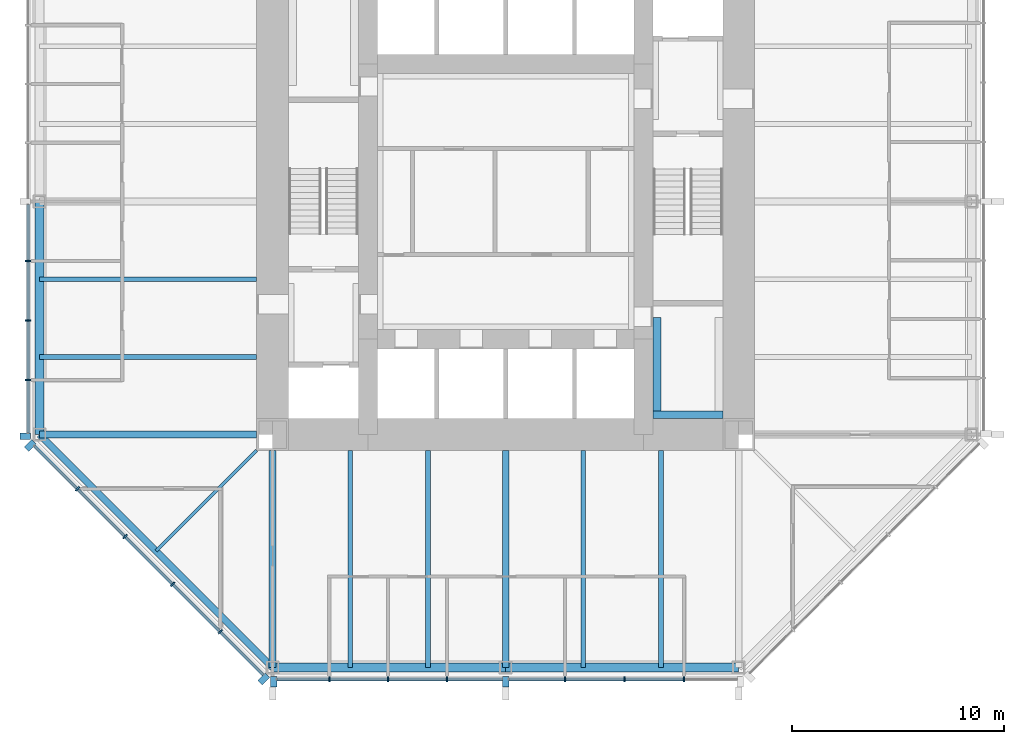
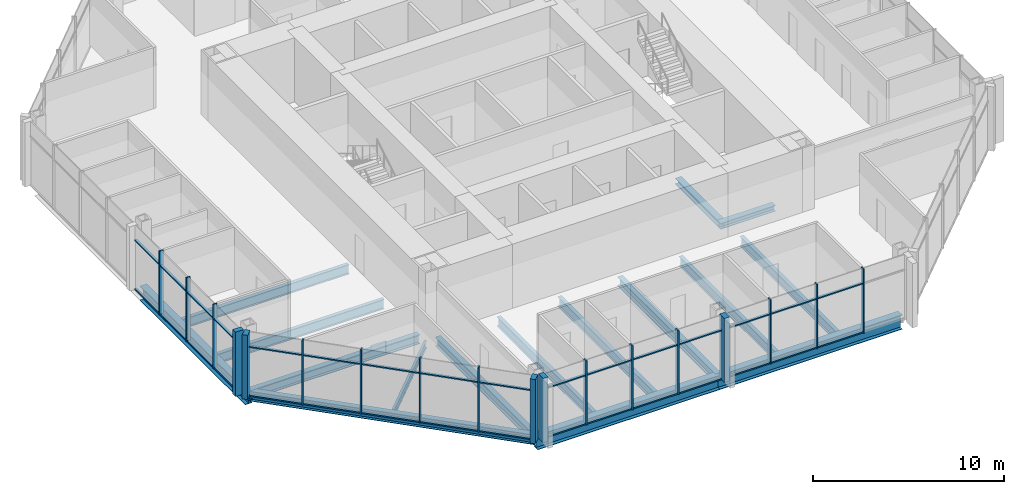
# One storey, part 2 of 12: 50 members, 16 beams, 3 elements without a shape of their own.
"""IFC4 building model written with IfcOpenShell, lengths in metres."""

from ifc_helpers import new_model, si_unit, direction, frame, origin, origin_2d, place, context, subcontext, project, spatial, rectangle, i_section, extrude, material, material_profile, profile_set, type_object, element, aggregate, save


model = new_model("IFC4")

# Units and contexts
model_context = context("Model", 3, precision=1e-05, world=origin(), true_north=direction((0.0, 1.0)))
body_context = subcontext(model_context, "Body", "Model", "MODEL_VIEW")
ifc_project = project(units=[si_unit("LENGTHUNIT", "METRE"), si_unit("AREAUNIT", "SQUARE_METRE"), si_unit("VOLUMEUNIT", "CUBIC_METRE"), si_unit("PLANEANGLEUNIT", "RADIAN"), si_unit("MASSUNIT", "GRAM", prefix="KILO")], contexts=[model_context])

# Site, building, storey
site_placement = place(None, origin())
site = spatial("IfcSite", under=ifc_project, at=site_placement, CompositionType="ELEMENT")
building_placement = place(site_placement, origin())
building = spatial("IfcBuilding", under=site, at=building_placement, Name="Trevanion Tower", CompositionType="ELEMENT")
storey_placement = place(building_placement, frame((0.0, 0.0, 166.39990234375)))
storey = spatial("IfcBuildingStorey", under=building, at=storey_placement, Name="L39", CompositionType="ELEMENT", Elevation=166.39990234375)

# Beams
ifc_material_1 = material(Name="Steel ASTM A992 Grade 50", Category="steel")
ifc_material_profile_1 = material_profile(ifc_material_1, i_section(OverallWidth=0.22900390625, OverallDepth=0.612060546875, WebThickness=0.011962890625, FlangeThickness=0.01953125, at=origin_2d()), Name="W24X84")
ifc_profile_set_1 = profile_set([ifc_material_profile_1], Name="Steel ASTM A992 Grade 50")
beam_type_1 = type_object("IfcBeamType", Name="B7 W24X84", PredefinedType="BEAM", material=ifc_profile_set_1)
for number, where, z_axis, x_axis, name in (
    (1, (-11.75, -3.666748046875, -0.49609375), (-1.0, 0.0, 0.0), (0.0, -1.0, 0.0), "B7 L39"),
    (2, (-11.75, -7.333251953125, -0.49609375), (-1.0, 0.0, 0.0), (0.0, -1.0, 0.0), "B7 L39"),
    (3, (-7.333251953125, -11.75, -0.49609375), (0.0, -1.0, 0.0), (1.0, 0.0, 0.0), "B7 L39"),
    (4, (-3.666748046875, -11.75, -0.49609375), (0.0, -1.0, 0.0), (1.0, 0.0, 0.0), "B7 L39"),
    (5, (3.666748046875, -11.75, -0.49609375), (0.0, -1.0, 0.0), (1.0, 0.0, 0.0), "B7 L39"),
    (6, (7.333251953125, -11.75, -0.49609375), (0.0, -1.0, 0.0), (1.0, 0.0, 0.0), "B7 L39"),
):
    element("IfcBeam", number, at=place(storey_placement, frame(where, z_axis=z_axis, x_axis=x_axis)), inside=storey, type_object=beam_type_1, Name=name, PredefinedType="BEAM", context=body_context, shape_type="SweptSolid", body=[
        extrude(i_section(OverallWidth=0.22900390625, OverallDepth=0.612060546875, WebThickness=0.011962890625, FlangeThickness=0.01953125, at=origin_2d()), origin(), (0.0, 0.0, 1.0), 10.25),
    ])
ifc_material_2 = material(Name="Steel ASTM A992 Grade 50", Category="steel")
ifc_material_profile_2 = material_profile(ifc_material_2, i_section(OverallWidth=0.15234375, OverallDepth=0.449462890625, WebThickness=0.007568359375, FlangeThickness=0.0107421875, at=origin_2d()), Name="W18X35")
ifc_profile_set_2 = profile_set([ifc_material_profile_2], Name="Steel ASTM A992 Grade 50")
beam_type_2 = type_object("IfcBeamType", Name="B8 W18X35", PredefinedType="BEAM", material=ifc_profile_set_2)
beam_1_placement = place(storey_placement, frame((-11.75, -11.75, -0.414794921875), z_axis=(-0.707106781187, -0.707106781187, 0.0), x_axis=(0.707106781187, -0.707106781187, 0.0)))
element("IfcBeam", 7, at=beam_1_placement, inside=storey, type_object=beam_type_2, Name="B8 L39", PredefinedType="BEAM", context=body_context, shape_type="SweptSolid", body=[
    extrude(i_section(OverallWidth=0.15234375, OverallDepth=0.449462890625, WebThickness=0.007568359375, FlangeThickness=0.0107421875, at=origin_2d()), origin(), (0.0, 0.0, 1.0), 6.717529296875),
])

# Curtain wall, members
ifc_material_3 = material(Name="Aluminium and glass", Category="aluminium")
curtain_wall_type = type_object("IfcCurtainWallType", Name="CW2 curtain wall", PredefinedType="USERDEFINED", material=ifc_material_3)
curtain_wall_1_placement = place(storey_placement, origin())
curtain_wall_1 = element("IfcCurtainWall", 8, at=curtain_wall_1_placement, inside=storey, type_object=curtain_wall_type, Name="CW2 L39 4", ObjectType="UNITISED CURTAIN WALL", PredefinedType="USERDEFINED")
ifc_material_4 = material(Name="Aluminium extrusion, anodised bronze", Category="aluminium")
ifc_material_profile_3 = material_profile(ifc_material_4, rectangle(XDim=0.074951171875, YDim=0.25, at=origin_2d()), Name="CW2 mullion")
ifc_profile_set_3 = profile_set([ifc_material_profile_3], Name="Aluminium extrusion, anodised bronze")
member_type_1 = type_object("IfcMemberType", Name="CW2 mullion", PredefinedType="MULLION", material=ifc_profile_set_3)
member_1_placement = place(storey_placement, frame((-22.550048828125, -2.806884765625, -0.18994140625), z_axis=(0.0, 0.0, 1.0), x_axis=(0.0, -1.0, 0.0)))
member_1 = element("IfcMember", 9, at=member_1_placement, type_object=member_type_1, Name="CW2 mullion 6", PredefinedType="MULLION", context=body_context, shape_type="SweptSolid", body=[
    extrude(rectangle(XDim=0.074951171875, YDim=0.25, at=origin_2d()), origin(), (0.0, 0.0, 1.0), 4.10009765625),
])
member_2_placement = place(storey_placement, frame((-22.550048828125, -5.614013671875, -0.18994140625), z_axis=(0.0, 0.0, 1.0), x_axis=(0.0, -1.0, 0.0)))
member_2 = element("IfcMember", 10, at=member_2_placement, type_object=member_type_1, Name="CW2 mullion 7", PredefinedType="MULLION", context=body_context, shape_type="SweptSolid", body=[
    extrude(rectangle(XDim=0.074951171875, YDim=0.25, at=origin_2d()), origin(), (0.0, 0.0, 1.0), 4.10009765625),
])
member_3_placement = place(storey_placement, frame((-22.550048828125, -8.4208984375, -0.18994140625), z_axis=(0.0, 0.0, 1.0), x_axis=(0.0, -1.0, 0.0)))
member_3 = element("IfcMember", 11, at=member_3_placement, type_object=member_type_1, Name="CW2 mullion 8", PredefinedType="MULLION", context=body_context, shape_type="SweptSolid", body=[
    extrude(rectangle(XDim=0.074951171875, YDim=0.25, at=origin_2d()), origin(), (0.0, 0.0, 1.0), 4.10009765625),
])

curtain_wall_2_placement = place(storey_placement, origin())
curtain_wall_2 = element("IfcCurtainWall", 12, at=curtain_wall_2_placement, inside=storey, type_object=curtain_wall_type, Name="CW2 L39 5", ObjectType="UNITISED CURTAIN WALL", PredefinedType="USERDEFINED")
member_4_placement = place(storey_placement, frame((-20.2119140625, -13.56591796875, -0.18994140625), z_axis=(0.0, 0.0, 1.0), x_axis=(0.707106781187, -0.707106781187, 0.0)))
member_4 = element("IfcMember", 13, at=member_4_placement, type_object=member_type_1, Name="CW2 mullion 2", PredefinedType="MULLION", context=body_context, shape_type="SweptSolid", body=[
    extrude(rectangle(XDim=0.074951171875, YDim=0.25, at=origin_2d()), origin(), (0.0, 0.0, 1.0), 4.10009765625),
])
member_5_placement = place(storey_placement, frame((-17.966064453125, -15.811767578125, -0.18994140625), z_axis=(0.0, 0.0, 1.0), x_axis=(0.707106781187, -0.707106781187, 0.0)))
member_5 = element("IfcMember", 14, at=member_5_placement, type_object=member_type_1, Name="CW2 mullion 3", PredefinedType="MULLION", context=body_context, shape_type="SweptSolid", body=[
    extrude(rectangle(XDim=0.074951171875, YDim=0.25, at=origin_2d()), origin(), (0.0, 0.0, 1.0), 4.10009765625),
])
member_6_placement = place(storey_placement, frame((-15.719970703125, -18.057861328125, -0.18994140625), z_axis=(0.0, 0.0, 1.0), x_axis=(0.707106781187, -0.707106781187, 0.0)))
member_6 = element("IfcMember", 15, at=member_6_placement, type_object=member_type_1, Name="CW2 mullion 4", PredefinedType="MULLION", context=body_context, shape_type="SweptSolid", body=[
    extrude(rectangle(XDim=0.074951171875, YDim=0.25, at=origin_2d()), origin(), (0.0, 0.0, 1.0), 4.10009765625),
])
member_7_placement = place(storey_placement, frame((-13.473876953125, -20.303955078125, -0.18994140625), z_axis=(0.0, 0.0, 1.0), x_axis=(0.707106781187, -0.707106781187, 0.0)))
member_7 = element("IfcMember", 16, at=member_7_placement, type_object=member_type_1, Name="CW2 mullion 5", PredefinedType="MULLION", context=body_context, shape_type="SweptSolid", body=[
    extrude(rectangle(XDim=0.074951171875, YDim=0.25, at=origin_2d()), origin(), (0.0, 0.0, 1.0), 4.10009765625),
])

curtain_wall_3_placement = place(storey_placement, origin())
curtain_wall_3 = element("IfcCurtainWall", 17, at=curtain_wall_3_placement, inside=storey, type_object=curtain_wall_type, Name="CW2 L39 6", ObjectType="UNITISED CURTAIN WALL", PredefinedType="USERDEFINED")
member_8_placement = place(storey_placement, frame((-8.323486328125, -22.550048828125, -0.18994140625), z_axis=(0.0, 0.0, 1.0), x_axis=(1.0, 0.0, 0.0)))
member_8 = element("IfcMember", 18, at=member_8_placement, type_object=member_type_1, Name="CW2 mullion 2", PredefinedType="MULLION", context=body_context, shape_type="SweptSolid", body=[
    extrude(rectangle(XDim=0.074951171875, YDim=0.25, at=origin_2d()), origin(), (0.0, 0.0, 1.0), 4.10009765625),
])
member_9_placement = place(storey_placement, frame((-5.548828125, -22.550048828125, -0.18994140625), z_axis=(0.0, 0.0, 1.0), x_axis=(1.0, 0.0, 0.0)))
member_9 = element("IfcMember", 19, at=member_9_placement, type_object=member_type_1, Name="CW2 mullion 3", PredefinedType="MULLION", context=body_context, shape_type="SweptSolid", body=[
    extrude(rectangle(XDim=0.074951171875, YDim=0.25, at=origin_2d()), origin(), (0.0, 0.0, 1.0), 4.10009765625),
])
member_10_placement = place(storey_placement, frame((-2.7744140625, -22.550048828125, -0.18994140625), z_axis=(0.0, 0.0, 1.0), x_axis=(1.0, 0.0, 0.0)))
member_10 = element("IfcMember", 20, at=member_10_placement, type_object=member_type_1, Name="CW2 mullion 4", PredefinedType="MULLION", context=body_context, shape_type="SweptSolid", body=[
    extrude(rectangle(XDim=0.074951171875, YDim=0.25, at=origin_2d()), origin(), (0.0, 0.0, 1.0), 4.10009765625),
])
member_11_placement = place(storey_placement, frame((2.806884765625, -22.550048828125, -0.18994140625), z_axis=(0.0, 0.0, 1.0), x_axis=(1.0, 0.0, 0.0)))
member_11 = element("IfcMember", 21, at=member_11_placement, type_object=member_type_1, Name="CW2 mullion 6", PredefinedType="MULLION", context=body_context, shape_type="SweptSolid", body=[
    extrude(rectangle(XDim=0.074951171875, YDim=0.25, at=origin_2d()), origin(), (0.0, 0.0, 1.0), 4.10009765625),
])
member_12_placement = place(storey_placement, frame((5.614013671875, -22.550048828125, -0.18994140625), z_axis=(0.0, 0.0, 1.0), x_axis=(1.0, 0.0, 0.0)))
member_12 = element("IfcMember", 22, at=member_12_placement, type_object=member_type_1, Name="CW2 mullion 7", PredefinedType="MULLION", context=body_context, shape_type="SweptSolid", body=[
    extrude(rectangle(XDim=0.074951171875, YDim=0.25, at=origin_2d()), origin(), (0.0, 0.0, 1.0), 4.10009765625),
])
member_13_placement = place(storey_placement, frame((8.4208984375, -22.550048828125, -0.18994140625), z_axis=(0.0, 0.0, 1.0), x_axis=(1.0, 0.0, 0.0)))
member_13 = element("IfcMember", 23, at=member_13_placement, type_object=member_type_1, Name="CW2 mullion 8", PredefinedType="MULLION", context=body_context, shape_type="SweptSolid", body=[
    extrude(rectangle(XDim=0.074951171875, YDim=0.25, at=origin_2d()), origin(), (0.0, 0.0, 1.0), 4.10009765625),
])

# Member
ifc_material_5 = material(Name="Aluminium extrusion, anodised bronze", Category="aluminium")
ifc_material_profile_4 = material_profile(ifc_material_5, rectangle(XDim=0.300048828125, YDim=0.5, at=origin_2d()), Name="CW2 pier mullion")
ifc_profile_set_4 = profile_set([ifc_material_profile_4], Name="Aluminium extrusion, anodised bronze")
member_type_2 = type_object("IfcMemberType", Name="CW2 pier mullion", PredefinedType="MULLION", material=ifc_profile_set_4)
member_14_placement = place(storey_placement, frame((-22.675048828125, -11.077880859375, -0.18994140625), z_axis=(0.0, 0.0, 1.0), x_axis=(0.0, -1.0, 0.0)))
member_14 = element("IfcMember", 24, at=member_14_placement, type_object=member_type_2, Name="CW2 pier mullion 9", PredefinedType="MULLION", context=body_context, shape_type="SweptSolid", body=[
    extrude(rectangle(XDim=0.300048828125, YDim=0.5, at=origin_2d()), origin(), (0.0, 0.0, 1.0), 4.10009765625),
])

member_15_placement = place(storey_placement, frame((-22.4404296875, -11.51416015625, -0.18994140625), z_axis=(0.0, 0.0, 1.0), x_axis=(0.707106781187, -0.707106781187, 0.0)))
member_15 = element("IfcMember", 25, at=member_15_placement, type_object=member_type_2, Name="CW2 pier mullion 1", PredefinedType="MULLION", context=body_context, shape_type="SweptSolid", body=[
    extrude(rectangle(XDim=0.300048828125, YDim=0.5, at=origin_2d()), origin(), (0.0, 0.0, 1.0), 4.10009765625),
])

member_16_placement = place(storey_placement, frame((-11.42236328125, -22.5322265625, -0.18994140625), z_axis=(0.0, 0.0, 1.0), x_axis=(0.707106781187, -0.707106781187, 0.0)))
member_16 = element("IfcMember", 26, at=member_16_placement, type_object=member_type_2, Name="CW2 pier mullion 6", PredefinedType="MULLION", context=body_context, shape_type="SweptSolid", body=[
    extrude(rectangle(XDim=0.300048828125, YDim=0.5, at=origin_2d()), origin(), (0.0, 0.0, 1.0), 4.10009765625),
])

member_17_placement = place(storey_placement, frame((-10.94775390625, -22.675048828125, -0.18994140625), z_axis=(0.0, 0.0, 1.0), x_axis=(1.0, 0.0, 0.0)))
member_17 = element("IfcMember", 27, at=member_17_placement, type_object=member_type_2, Name="CW2 pier mullion 1", PredefinedType="MULLION", context=body_context, shape_type="SweptSolid", body=[
    extrude(rectangle(XDim=0.300048828125, YDim=0.5, at=origin_2d()), origin(), (0.0, 0.0, 1.0), 4.10009765625),
])

member_18_placement = place(storey_placement, frame((0.0, -22.675048828125, -0.18994140625), z_axis=(0.0, 0.0, 1.0), x_axis=(1.0, 0.0, 0.0)))
member_18 = element("IfcMember", 28, at=member_18_placement, type_object=member_type_2, Name="CW2 pier mullion 5", PredefinedType="MULLION", context=body_context, shape_type="SweptSolid", body=[
    extrude(rectangle(XDim=0.300048828125, YDim=0.5, at=origin_2d()), origin(), (0.0, 0.0, 1.0), 4.10009765625),
])

ifc_material_6 = material(Name="Aluminium extrusion, anodised bronze", Category="aluminium")
ifc_material_profile_5 = material_profile(ifc_material_6, rectangle(XDim=0.14990234375, YDim=0.074951171875, at=origin_2d()), Name="CW2 transom")
ifc_profile_set_5 = profile_set([ifc_material_profile_5], Name="Aluminium extrusion, anodised bronze")
member_type_3 = type_object("IfcMemberType", Name="CW2 transom", PredefinedType="USERDEFINED", material=ifc_profile_set_5)
member_19_placement = place(storey_placement, frame((-22.550048828125, -0.14990234375, -0.15234375), z_axis=(0.0, -1.0, 0.0), x_axis=(1.0, 0.0, 0.0)))
member_19 = element("IfcMember", 29, at=member_19_placement, type_object=member_type_3, Name="CW2 transom 5.1", ObjectType="TRANSOM", PredefinedType="USERDEFINED", context=body_context, shape_type="SweptSolid", body=[
    extrude(rectangle(XDim=0.14990234375, YDim=0.074951171875, at=origin_2d()), origin(), (0.0, 0.0, 1.0), 2.619384765625),
])

member_20_placement = place(storey_placement, frame((-22.550048828125, -0.14990234375, 2.960205078125), z_axis=(0.0, -1.0, 0.0), x_axis=(1.0, 0.0, 0.0)))
member_20 = element("IfcMember", 30, at=member_20_placement, type_object=member_type_3, Name="CW2 transom 5.2", ObjectType="TRANSOM", PredefinedType="USERDEFINED", context=body_context, shape_type="SweptSolid", body=[
    extrude(rectangle(XDim=0.14990234375, YDim=0.074951171875, at=origin_2d()), origin(), (0.0, 0.0, 1.0), 2.619384765625),
])

member_21_placement = place(storey_placement, frame((-22.550048828125, -2.844482421875, -0.15234375), z_axis=(0.0, -1.0, 0.0), x_axis=(1.0, 0.0, 0.0)))
member_21 = element("IfcMember", 31, at=member_21_placement, type_object=member_type_3, Name="CW2 transom 6.1", ObjectType="TRANSOM", PredefinedType="USERDEFINED", context=body_context, shape_type="SweptSolid", body=[
    extrude(rectangle(XDim=0.14990234375, YDim=0.074951171875, at=origin_2d()), origin(), (0.0, 0.0, 1.0), 2.73193359375),
])

member_22_placement = place(storey_placement, frame((-22.550048828125, -2.844482421875, 2.960205078125), z_axis=(0.0, -1.0, 0.0), x_axis=(1.0, 0.0, 0.0)))
member_22 = element("IfcMember", 32, at=member_22_placement, type_object=member_type_3, Name="CW2 transom 6.2", ObjectType="TRANSOM", PredefinedType="USERDEFINED", context=body_context, shape_type="SweptSolid", body=[
    extrude(rectangle(XDim=0.14990234375, YDim=0.074951171875, at=origin_2d()), origin(), (0.0, 0.0, 1.0), 2.73193359375),
])

member_23_placement = place(storey_placement, frame((-22.550048828125, -5.6513671875, -0.15234375), z_axis=(0.0, -1.0, 0.0), x_axis=(1.0, 0.0, 0.0)))
member_23 = element("IfcMember", 33, at=member_23_placement, type_object=member_type_3, Name="CW2 transom 7.1", ObjectType="TRANSOM", PredefinedType="USERDEFINED", context=body_context, shape_type="SweptSolid", body=[
    extrude(rectangle(XDim=0.14990234375, YDim=0.074951171875, at=origin_2d()), origin(), (0.0, 0.0, 1.0), 2.73193359375),
])

member_24_placement = place(storey_placement, frame((-22.550048828125, -5.6513671875, 2.960205078125), z_axis=(0.0, -1.0, 0.0), x_axis=(1.0, 0.0, 0.0)))
member_24 = element("IfcMember", 34, at=member_24_placement, type_object=member_type_3, Name="CW2 transom 7.2", ObjectType="TRANSOM", PredefinedType="USERDEFINED", context=body_context, shape_type="SweptSolid", body=[
    extrude(rectangle(XDim=0.14990234375, YDim=0.074951171875, at=origin_2d()), origin(), (0.0, 0.0, 1.0), 2.73193359375),
])

member_25_placement = place(storey_placement, frame((-22.550048828125, -8.45849609375, -0.15234375), z_axis=(0.0, -1.0, 0.0), x_axis=(1.0, 0.0, 0.0)))
member_25 = element("IfcMember", 35, at=member_25_placement, type_object=member_type_3, Name="CW2 transom 8.1", ObjectType="TRANSOM", PredefinedType="USERDEFINED", context=body_context, shape_type="SweptSolid", body=[
    extrude(rectangle(XDim=0.14990234375, YDim=0.074951171875, at=origin_2d()), origin(), (0.0, 0.0, 1.0), 2.46923828125),
])

member_26_placement = place(storey_placement, frame((-22.550048828125, -8.45849609375, 2.960205078125), z_axis=(0.0, -1.0, 0.0), x_axis=(1.0, 0.0, 0.0)))
member_26 = element("IfcMember", 36, at=member_26_placement, type_object=member_type_3, Name="CW2 transom 8.2", ObjectType="TRANSOM", PredefinedType="USERDEFINED", context=body_context, shape_type="SweptSolid", body=[
    extrude(rectangle(XDim=0.14990234375, YDim=0.074951171875, at=origin_2d()), origin(), (0.0, 0.0, 1.0), 2.46923828125),
])

aggregate(curtain_wall_1, [member_1, member_2, member_3, member_14, member_19, member_20, member_21, member_22, member_23, member_24, member_25, member_26])

member_27_placement = place(storey_placement, frame((-22.245849609375, -11.531982421875, -0.15234375), z_axis=(0.707106781187, -0.707106781187, 0.0), x_axis=(0.707106781187, 0.707106781187, 0.0)))
member_27 = element("IfcMember", 37, at=member_27_placement, type_object=member_type_3, Name="CW2 transom 1.1", ObjectType="TRANSOM", PredefinedType="USERDEFINED", context=body_context, shape_type="SweptSolid", body=[
    extrude(rectangle(XDim=0.14990234375, YDim=0.074951171875, at=origin_2d()), origin(), (0.0, 0.0, 1.0), 2.8388671875),
])

member_28_placement = place(storey_placement, frame((-22.245849609375, -11.531982421875, 2.960205078125), z_axis=(0.707106781187, -0.707106781187, 0.0), x_axis=(0.707106781187, 0.707106781187, 0.0)))
member_28 = element("IfcMember", 38, at=member_28_placement, type_object=member_type_3, Name="CW2 transom 1.2", ObjectType="TRANSOM", PredefinedType="USERDEFINED", context=body_context, shape_type="SweptSolid", body=[
    extrude(rectangle(XDim=0.14990234375, YDim=0.074951171875, at=origin_2d()), origin(), (0.0, 0.0, 1.0), 2.8388671875),
])

member_29_placement = place(storey_placement, frame((-20.185546875, -13.59228515625, -0.15234375), z_axis=(0.707106781187, -0.707106781187, 0.0), x_axis=(0.707106781187, 0.707106781187, 0.0)))
member_29 = element("IfcMember", 39, at=member_29_placement, type_object=member_type_3, Name="CW2 transom 2.1", ObjectType="TRANSOM", PredefinedType="USERDEFINED", context=body_context, shape_type="SweptSolid", body=[
    extrude(rectangle(XDim=0.14990234375, YDim=0.074951171875, at=origin_2d()), origin(), (0.0, 0.0, 1.0), 3.1015625),
])

member_30_placement = place(storey_placement, frame((-20.185546875, -13.59228515625, 2.960205078125), z_axis=(0.707106781187, -0.707106781187, 0.0), x_axis=(0.707106781187, 0.707106781187, 0.0)))
member_30 = element("IfcMember", 40, at=member_30_placement, type_object=member_type_3, Name="CW2 transom 2.2", ObjectType="TRANSOM", PredefinedType="USERDEFINED", context=body_context, shape_type="SweptSolid", body=[
    extrude(rectangle(XDim=0.14990234375, YDim=0.074951171875, at=origin_2d()), origin(), (0.0, 0.0, 1.0), 3.1015625),
])

member_31_placement = place(storey_placement, frame((-17.939453125, -15.83837890625, -0.15234375), z_axis=(0.707106781187, -0.707106781187, 0.0), x_axis=(0.707106781187, 0.707106781187, 0.0)))
member_31 = element("IfcMember", 41, at=member_31_placement, type_object=member_type_3, Name="CW2 transom 3.1", ObjectType="TRANSOM", PredefinedType="USERDEFINED", context=body_context, shape_type="SweptSolid", body=[
    extrude(rectangle(XDim=0.14990234375, YDim=0.074951171875, at=origin_2d()), origin(), (0.0, 0.0, 1.0), 3.1015625),
])

member_32_placement = place(storey_placement, frame((-17.939453125, -15.83837890625, 2.960205078125), z_axis=(0.707106781187, -0.707106781187, 0.0), x_axis=(0.707106781187, 0.707106781187, 0.0)))
member_32 = element("IfcMember", 42, at=member_32_placement, type_object=member_type_3, Name="CW2 transom 3.2", ObjectType="TRANSOM", PredefinedType="USERDEFINED", context=body_context, shape_type="SweptSolid", body=[
    extrude(rectangle(XDim=0.14990234375, YDim=0.074951171875, at=origin_2d()), origin(), (0.0, 0.0, 1.0), 3.1015625),
])

member_33_placement = place(storey_placement, frame((-15.693359375, -18.08447265625, -0.15234375), z_axis=(0.707106781187, -0.707106781187, 0.0), x_axis=(0.707106781187, 0.707106781187, 0.0)))
member_33 = element("IfcMember", 43, at=member_33_placement, type_object=member_type_3, Name="CW2 transom 4.1", ObjectType="TRANSOM", PredefinedType="USERDEFINED", context=body_context, shape_type="SweptSolid", body=[
    extrude(rectangle(XDim=0.14990234375, YDim=0.074951171875, at=origin_2d()), origin(), (0.0, 0.0, 1.0), 3.10107421875),
])

member_34_placement = place(storey_placement, frame((-15.693359375, -18.08447265625, 2.960205078125), z_axis=(0.707106781187, -0.707106781187, 0.0), x_axis=(0.707106781187, 0.707106781187, 0.0)))
member_34 = element("IfcMember", 44, at=member_34_placement, type_object=member_type_3, Name="CW2 transom 4.2", ObjectType="TRANSOM", PredefinedType="USERDEFINED", context=body_context, shape_type="SweptSolid", body=[
    extrude(rectangle(XDim=0.14990234375, YDim=0.074951171875, at=origin_2d()), origin(), (0.0, 0.0, 1.0), 3.10107421875),
])

member_35_placement = place(storey_placement, frame((-13.447509765625, -20.33056640625, -0.15234375), z_axis=(0.707149778163, -0.707063781595, 0.0), x_axis=(0.707063781595, 0.707149778163, 0.0)))
member_35 = element("IfcMember", 45, at=member_35_placement, type_object=member_type_3, Name="CW2 transom 5.1", ObjectType="TRANSOM", PredefinedType="USERDEFINED", context=body_context, shape_type="SweptSolid", body=[
    extrude(rectangle(XDim=0.14990234375, YDim=0.074951171875, at=origin_2d()), origin(), (0.0, 0.0, 1.0), 2.8388671875),
])

member_36_placement = place(storey_placement, frame((-13.447509765625, -20.33056640625, 2.960205078125), z_axis=(0.707149778163, -0.707063781595, 0.0), x_axis=(0.707063781595, 0.707149778163, 0.0)))
member_36 = element("IfcMember", 46, at=member_36_placement, type_object=member_type_3, Name="CW2 transom 5.2", ObjectType="TRANSOM", PredefinedType="USERDEFINED", context=body_context, shape_type="SweptSolid", body=[
    extrude(rectangle(XDim=0.14990234375, YDim=0.074951171875, at=origin_2d()), origin(), (0.0, 0.0, 1.0), 2.8388671875),
])

aggregate(curtain_wall_2, [member_15, member_4, member_5, member_6, member_7, member_16, member_27, member_28, member_29, member_30, member_31, member_32, member_33, member_34, member_35, member_36])

member_37_placement = place(storey_placement, frame((-10.7978515625, -22.550048828125, -0.15234375), z_axis=(1.0, 0.0, 0.0), x_axis=(0.0, 1.0, 0.0)))
member_37 = element("IfcMember", 47, at=member_37_placement, type_object=member_type_3, Name="CW2 transom 1.1", ObjectType="TRANSOM", PredefinedType="USERDEFINED", context=body_context, shape_type="SweptSolid", body=[
    extrude(rectangle(XDim=0.14990234375, YDim=0.074951171875, at=origin_2d()), origin(), (0.0, 0.0, 1.0), 2.43701171875),
])

member_38_placement = place(storey_placement, frame((-10.7978515625, -22.550048828125, 2.960205078125), z_axis=(1.0, 0.0, 0.0), x_axis=(0.0, 1.0, 0.0)))
member_38 = element("IfcMember", 48, at=member_38_placement, type_object=member_type_3, Name="CW2 transom 1.2", ObjectType="TRANSOM", PredefinedType="USERDEFINED", context=body_context, shape_type="SweptSolid", body=[
    extrude(rectangle(XDim=0.14990234375, YDim=0.074951171875, at=origin_2d()), origin(), (0.0, 0.0, 1.0), 2.43701171875),
])

member_39_placement = place(storey_placement, frame((-8.285888671875, -22.550048828125, -0.15234375), z_axis=(1.0, 0.0, 0.0), x_axis=(0.0, 1.0, 0.0)))
member_39 = element("IfcMember", 49, at=member_39_placement, type_object=member_type_3, Name="CW2 transom 2.1", ObjectType="TRANSOM", PredefinedType="USERDEFINED", context=body_context, shape_type="SweptSolid", body=[
    extrude(rectangle(XDim=0.14990234375, YDim=0.074951171875, at=origin_2d()), origin(), (0.0, 0.0, 1.0), 2.699462890625),
])

member_40_placement = place(storey_placement, frame((-8.285888671875, -22.550048828125, 2.960205078125), z_axis=(1.0, 0.0, 0.0), x_axis=(0.0, 1.0, 0.0)))
member_40 = element("IfcMember", 50, at=member_40_placement, type_object=member_type_3, Name="CW2 transom 2.2", ObjectType="TRANSOM", PredefinedType="USERDEFINED", context=body_context, shape_type="SweptSolid", body=[
    extrude(rectangle(XDim=0.14990234375, YDim=0.074951171875, at=origin_2d()), origin(), (0.0, 0.0, 1.0), 2.699462890625),
])

member_41_placement = place(storey_placement, frame((-5.511474609375, -22.550048828125, -0.15234375), z_axis=(1.0, 0.0, 0.0), x_axis=(0.0, 1.0, 0.0)))
member_41 = element("IfcMember", 51, at=member_41_placement, type_object=member_type_3, Name="CW2 transom 3.1", ObjectType="TRANSOM", PredefinedType="USERDEFINED", context=body_context, shape_type="SweptSolid", body=[
    extrude(rectangle(XDim=0.14990234375, YDim=0.074951171875, at=origin_2d()), origin(), (0.0, 0.0, 1.0), 2.699462890625),
])

member_42_placement = place(storey_placement, frame((-5.511474609375, -22.550048828125, 2.960205078125), z_axis=(1.0, 0.0, 0.0), x_axis=(0.0, 1.0, 0.0)))
member_42 = element("IfcMember", 52, at=member_42_placement, type_object=member_type_3, Name="CW2 transom 3.2", ObjectType="TRANSOM", PredefinedType="USERDEFINED", context=body_context, shape_type="SweptSolid", body=[
    extrude(rectangle(XDim=0.14990234375, YDim=0.074951171875, at=origin_2d()), origin(), (0.0, 0.0, 1.0), 2.699462890625),
])

member_43_placement = place(storey_placement, frame((-2.737060546875, -22.550048828125, -0.15234375), z_axis=(1.0, 0.0, 0.0), x_axis=(0.0, 1.0, 0.0)))
member_43 = element("IfcMember", 53, at=member_43_placement, type_object=member_type_3, Name="CW2 transom 4.1", ObjectType="TRANSOM", PredefinedType="USERDEFINED", context=body_context, shape_type="SweptSolid", body=[
    extrude(rectangle(XDim=0.14990234375, YDim=0.074951171875, at=origin_2d()), origin(), (0.0, 0.0, 1.0), 2.587158203125),
])

member_44_placement = place(storey_placement, frame((-2.737060546875, -22.550048828125, 2.960205078125), z_axis=(1.0, 0.0, 0.0), x_axis=(0.0, 1.0, 0.0)))
member_44 = element("IfcMember", 54, at=member_44_placement, type_object=member_type_3, Name="CW2 transom 4.2", ObjectType="TRANSOM", PredefinedType="USERDEFINED", context=body_context, shape_type="SweptSolid", body=[
    extrude(rectangle(XDim=0.14990234375, YDim=0.074951171875, at=origin_2d()), origin(), (0.0, 0.0, 1.0), 2.587158203125),
])

member_45_placement = place(storey_placement, frame((0.14990234375, -22.550048828125, -0.15234375), z_axis=(1.0, 0.0, 0.0), x_axis=(0.0, 1.0, 0.0)))
member_45 = element("IfcMember", 55, at=member_45_placement, type_object=member_type_3, Name="CW2 transom 5.1", ObjectType="TRANSOM", PredefinedType="USERDEFINED", context=body_context, shape_type="SweptSolid", body=[
    extrude(rectangle(XDim=0.14990234375, YDim=0.074951171875, at=origin_2d()), origin(), (0.0, 0.0, 1.0), 2.619384765625),
])

member_46_placement = place(storey_placement, frame((0.14990234375, -22.550048828125, 2.960205078125), z_axis=(1.0, 0.0, 0.0), x_axis=(0.0, 1.0, 0.0)))
member_46 = element("IfcMember", 56, at=member_46_placement, type_object=member_type_3, Name="CW2 transom 5.2", ObjectType="TRANSOM", PredefinedType="USERDEFINED", context=body_context, shape_type="SweptSolid", body=[
    extrude(rectangle(XDim=0.14990234375, YDim=0.074951171875, at=origin_2d()), origin(), (0.0, 0.0, 1.0), 2.619384765625),
])

member_47_placement = place(storey_placement, frame((2.844482421875, -22.550048828125, -0.15234375), z_axis=(1.0, 0.0, 0.0), x_axis=(0.0, 1.0, 0.0)))
member_47 = element("IfcMember", 57, at=member_47_placement, type_object=member_type_3, Name="CW2 transom 6.1", ObjectType="TRANSOM", PredefinedType="USERDEFINED", context=body_context, shape_type="SweptSolid", body=[
    extrude(rectangle(XDim=0.14990234375, YDim=0.074951171875, at=origin_2d()), origin(), (0.0, 0.0, 1.0), 2.73193359375),
])

member_48_placement = place(storey_placement, frame((2.844482421875, -22.550048828125, 2.960205078125), z_axis=(1.0, 0.0, 0.0), x_axis=(0.0, 1.0, 0.0)))
member_48 = element("IfcMember", 58, at=member_48_placement, type_object=member_type_3, Name="CW2 transom 6.2", ObjectType="TRANSOM", PredefinedType="USERDEFINED", context=body_context, shape_type="SweptSolid", body=[
    extrude(rectangle(XDim=0.14990234375, YDim=0.074951171875, at=origin_2d()), origin(), (0.0, 0.0, 1.0), 2.73193359375),
])

member_49_placement = place(storey_placement, frame((5.6513671875, -22.550048828125, -0.15234375), z_axis=(1.0, 0.0, 0.0), x_axis=(0.0, 1.0, 0.0)))
member_49 = element("IfcMember", 59, at=member_49_placement, type_object=member_type_3, Name="CW2 transom 7.1", ObjectType="TRANSOM", PredefinedType="USERDEFINED", context=body_context, shape_type="SweptSolid", body=[
    extrude(rectangle(XDim=0.14990234375, YDim=0.074951171875, at=origin_2d()), origin(), (0.0, 0.0, 1.0), 2.73193359375),
])

member_50_placement = place(storey_placement, frame((5.6513671875, -22.550048828125, 2.960205078125), z_axis=(1.0, 0.0, 0.0), x_axis=(0.0, 1.0, 0.0)))
member_50 = element("IfcMember", 60, at=member_50_placement, type_object=member_type_3, Name="CW2 transom 7.2", ObjectType="TRANSOM", PredefinedType="USERDEFINED", context=body_context, shape_type="SweptSolid", body=[
    extrude(rectangle(XDim=0.14990234375, YDim=0.074951171875, at=origin_2d()), origin(), (0.0, 0.0, 1.0), 2.73193359375),
])

aggregate(curtain_wall_3, [member_17, member_8, member_9, member_10, member_18, member_11, member_12, member_13, member_37, member_38, member_39, member_40, member_41, member_42, member_43, member_44, member_45, member_46, member_47, member_48, member_49, member_50])

# Beams
ifc_material_7 = material(Name="Steel ASTM A992 Grade 50", Category="steel")
ifc_material_profile_6 = material_profile(ifc_material_7, i_section(OverallWidth=0.320068359375, OverallDepth=0.584228515625, WebThickness=0.023193359375, FlangeThickness=0.04150390625, at=origin_2d()), Name="W21X201")
ifc_profile_set_6 = profile_set([ifc_material_profile_6], Name="Steel ASTM A992 Grade 50")
beam_type_3 = type_object("IfcBeamType", Name="G4 W21X201", PredefinedType="BEAM", material=ifc_profile_set_6)
for number, where, z_axis, x_axis, name in (
    (61, (-11.75, -11.0, -0.48193359375), (-1.0, 0.0, 0.0), (0.0, -1.0, 0.0), "G4 L39"),
    (62, (-11.0, -11.75, -0.48193359375), (0.0, -1.0, 0.0), (1.0, 0.0, 0.0), "G4 L39"),
    (63, (0.0, -11.75, -0.48193359375), (0.0, -1.0, 0.0), (1.0, 0.0, 0.0), "G4 L39"),
):
    element("IfcBeam", number, at=place(storey_placement, frame(where, z_axis=z_axis, x_axis=x_axis)), inside=storey, type_object=beam_type_3, Name=name, PredefinedType="BEAM", context=body_context, shape_type="SweptSolid", body=[
        extrude(i_section(OverallWidth=0.320068359375, OverallDepth=0.584228515625, WebThickness=0.023193359375, FlangeThickness=0.04150390625, at=origin_2d()), origin(), (0.0, 0.0, 1.0), 10.25),
    ])
ifc_material_8 = material(Name="Steel ASTM A992 Grade 50", Category="steel")
ifc_material_profile_7 = material_profile(ifc_material_8, i_section(OverallWidth=0.373291015625, OverallDepth=0.373291015625, WebThickness=0.016357421875, FlangeThickness=0.026123046875, at=origin_2d()), Name="W14X132")
ifc_profile_set_7 = profile_set([ifc_material_profile_7], Name="Steel ASTM A992 Grade 50")
beam_type_4 = type_object("IfcBeamType", Name="LB2 W14X132", PredefinedType="BEAM", material=ifc_profile_set_7)
beam_2_placement = place(storey_placement, frame((7.13671875, -10.25, -0.38671875), z_axis=(0.0, 1.0, 0.0), x_axis=(-1.0, 0.0, 0.0)))
element("IfcBeam", 64, at=beam_2_placement, inside=storey, type_object=beam_type_4, Name="LB2 L39", PredefinedType="BEAM", context=body_context, shape_type="SweptSolid", body=[
    extrude(i_section(OverallWidth=0.373291015625, OverallDepth=0.373291015625, WebThickness=0.016357421875, FlangeThickness=0.026123046875, at=origin_2d()), origin(), (0.0, 0.0, 1.0), 4.77490234375),
])
beam_3_placement = place(storey_placement, frame((6.949951171875, -10.063232421875, -0.38671875), z_axis=(1.0, 0.0, 0.0), x_axis=(0.0, 1.0, 0.0)))
element("IfcBeam", 65, at=beam_3_placement, inside=storey, type_object=beam_type_4, Name="LB2 L39", PredefinedType="BEAM", context=body_context, shape_type="SweptSolid", body=[
    extrude(i_section(OverallWidth=0.373291015625, OverallDepth=0.373291015625, WebThickness=0.016357421875, FlangeThickness=0.026123046875, at=origin_2d()), origin(), (0.0, 0.0, 1.0), 3.300048828125),
])
ifc_material_9 = material(Name="Steel ASTM A992 Grade 50", Category="steel")
ifc_material_profile_8 = material_profile(ifc_material_9, i_section(OverallWidth=0.419189453125, OverallDepth=0.927001953125, WebThickness=0.019287109375, FlangeThickness=0.031982421875, at=origin_2d()), Name="W36X231")
ifc_profile_set_8 = profile_set([ifc_material_profile_8], Name="Steel ASTM A992 Grade 50")
beam_type_5 = type_object("IfcBeamType", Name="SB4 W36X231", PredefinedType="SPANDREL", material=ifc_profile_set_8)
for number, where, z_axis, x_axis, name in (
    (66, (-22.0, 0.0, -0.6533203125), (0.0, -1.0, 0.0), (1.0, 0.0, 0.0), "SB4 L39"),
    (67, (-11.0, -22.0, -0.6533203125), (1.0, 0.0, 0.0), (0.0, 1.0, 0.0), "SB4 L39"),
    (68, (0.0, -22.0, -0.6533203125), (1.0, 0.0, 0.0), (0.0, 1.0, 0.0), "SB4 L39"),
):
    element("IfcBeam", number, at=place(storey_placement, frame(where, z_axis=z_axis, x_axis=x_axis)), inside=storey, type_object=beam_type_5, Name=name, PredefinedType="SPANDREL", context=body_context, shape_type="SweptSolid", body=[
        extrude(i_section(OverallWidth=0.419189453125, OverallDepth=0.927001953125, WebThickness=0.019287109375, FlangeThickness=0.031982421875, at=origin_2d()), origin(), (0.0, 0.0, 1.0), 11.0),
    ])
ifc_material_10 = material(Name="Steel ASTM A992 Grade 50", Category="steel")
ifc_material_profile_9 = material_profile(ifc_material_10, i_section(OverallWidth=0.32763671875, OverallDepth=0.62744140625, WebThickness=0.0166015625, FlangeThickness=0.027587890625, at=origin_2d()), Name="W24X146")
ifc_profile_set_9 = profile_set([ifc_material_profile_9], Name="Steel ASTM A992 Grade 50")
beam_type_6 = type_object("IfcBeamType", Name="SB5 W24X146", PredefinedType="SPANDREL", material=ifc_profile_set_9)
beam_4_placement = place(storey_placement, frame((-22.0, -11.0, -0.503662109375), z_axis=(0.707106781187, -0.707106781187, 0.0), x_axis=(0.707106781187, 0.707106781187, 0.0)))
element("IfcBeam", 69, at=beam_4_placement, inside=storey, type_object=beam_type_6, Name="SB5 L39", PredefinedType="SPANDREL", context=body_context, shape_type="SweptSolid", body=[
    extrude(i_section(OverallWidth=0.32763671875, OverallDepth=0.62744140625, WebThickness=0.0166015625, FlangeThickness=0.027587890625, at=origin_2d()), origin(), (0.0, 0.0, 1.0), 15.556396484375),
])

save(model, "model.ifc")
